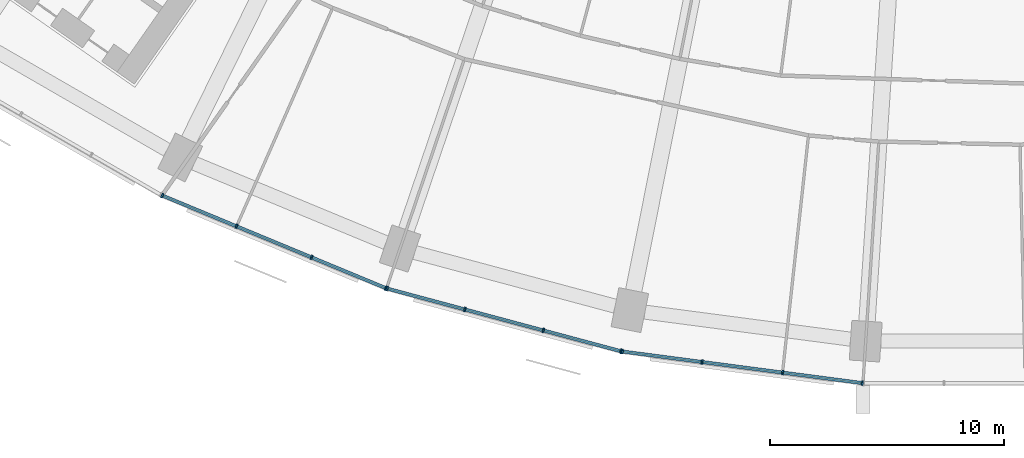
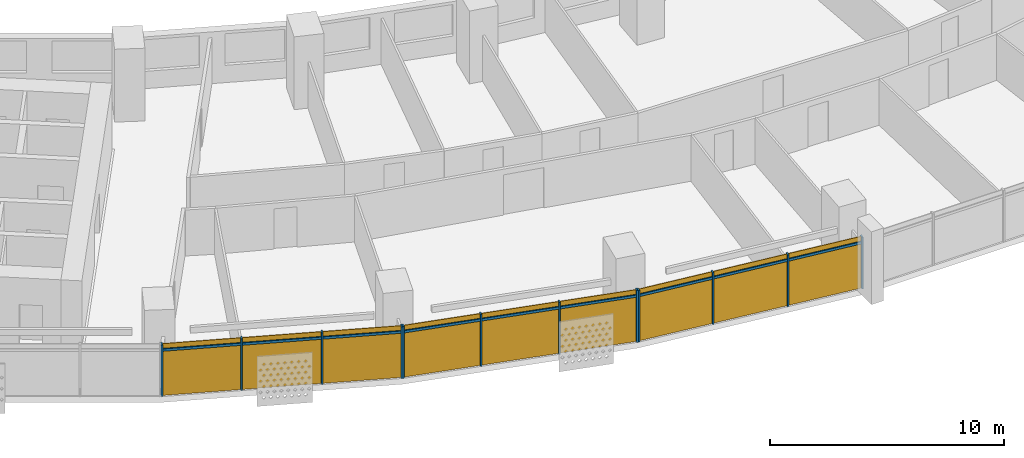
# One storey, part 21 of 30: 21 members, 3 curtain walls.
"""IFC4 building model written with IfcOpenShell, lengths in metres."""

from ifc_helpers import new_model, si_unit, direction, frame, origin, origin_2d, place, context, subcontext, project, spatial, rectangle, extrude, material, material_profile, profile_set, type_object, element, aggregate, save


model = new_model("IFC4")

# Units and contexts
model_context = context("Model", 3, precision=1e-05, world=origin(), true_north=direction((0.0, 1.0)))
body_context = subcontext(model_context, "Body", "Model", "MODEL_VIEW")
ifc_project = project(units=[si_unit("LENGTHUNIT", "METRE"), si_unit("AREAUNIT", "SQUARE_METRE"), si_unit("VOLUMEUNIT", "CUBIC_METRE"), si_unit("PLANEANGLEUNIT", "RADIAN"), si_unit("MASSUNIT", "GRAM", prefix="KILO")], contexts=[model_context])

# Member
ifc_material = material(Name="Aluminium 6063-T6 anodised", Category="aluminium")
ifc_material_profile_1 = material_profile(ifc_material, rectangle(XDim=0.199951171875, YDim=0.070068359375, at=origin_2d()))
ifc_profile_set_1 = profile_set([ifc_material_profile_1], Name="Aluminium 6063-T6 anodised")
member_type_1 = type_object("IfcMemberType", Name="Mullion 70 x 200 aluminium", PredefinedType="MULLION", material=ifc_profile_set_1)
site_placement = place(None, origin())
building_placement = place(site_placement, origin())
storey_placement = place(building_placement, frame((0.0, 0.0, 67.10009765625)))
member_1_placement = place(storey_placement, frame((-35.15771484375, -71.35693359375, 0.0), z_axis=(0.0, 0.0, 1.0), x_axis=(0.382683432365, 0.923879532511, 0.0)))
member_1 = element("IfcMember", 1, at=member_1_placement, type_object=member_type_1, Name="e-cw1-L13-out05/M00", PredefinedType="MULLION", context=body_context, shape_type="SweptSolid", body=[
    extrude(rectangle(XDim=0.199951171875, YDim=0.070068359375, at=origin_2d()), origin(), (0.0, 0.0, 1.0), 2.699951171875),
])

member_2_placement = place(storey_placement, frame((-31.9814453125, -72.672607421875, 0.0), z_axis=(0.0, 0.0, 1.0), x_axis=(0.382683432365, 0.923879532511, 0.0)))
member_2 = element("IfcMember", 2, at=member_2_placement, type_object=member_type_1, Name="e-cw1-L13-out05/M01", PredefinedType="MULLION", context=body_context, shape_type="SweptSolid", body=[
    extrude(rectangle(XDim=0.199951171875, YDim=0.070068359375, at=origin_2d()), origin(), (0.0, 0.0, 1.0), 2.699951171875),
])

member_3_placement = place(storey_placement, frame((-28.77294921875, -74.00146484375, 0.0), z_axis=(0.0, 0.0, 1.0), x_axis=(0.382683432365, 0.923879532511, 0.0)))
member_3 = element("IfcMember", 3, at=member_3_placement, type_object=member_type_1, Name="e-cw1-L13-out05/M02", PredefinedType="MULLION", context=body_context, shape_type="SweptSolid", body=[
    extrude(rectangle(XDim=0.199951171875, YDim=0.070068359375, at=origin_2d()), origin(), (0.0, 0.0, 1.0), 2.699951171875),
])

member_4_placement = place(storey_placement, frame((-25.5966796875, -75.317138671875, 0.0), z_axis=(0.0, 0.0, 1.0), x_axis=(0.382683432365, 0.923879532511, 0.0)))
member_4 = element("IfcMember", 4, at=member_4_placement, type_object=member_type_1, Name="e-cw1-L13-out05/M03", PredefinedType="MULLION", context=body_context, shape_type="SweptSolid", body=[
    extrude(rectangle(XDim=0.199951171875, YDim=0.070068359375, at=origin_2d()), origin(), (0.0, 0.0, 1.0), 2.699951171875),
])

member_5_placement = place(storey_placement, frame((-25.54296875, -75.33544921875, 0.0), z_axis=(0.0, 0.0, 1.0), x_axis=(0.258819045103, 0.965925826289, 0.0)))
member_5 = element("IfcMember", 5, at=member_5_placement, type_object=member_type_1, Name="e-cw1-L13-out06/M00", PredefinedType="MULLION", context=body_context, shape_type="SweptSolid", body=[
    extrude(rectangle(XDim=0.199951171875, YDim=0.070068359375, at=origin_2d()), origin(), (0.0, 0.0, 1.0), 2.699951171875),
])

member_6_placement = place(storey_placement, frame((-22.22216796875, -76.225341796875, 0.0), z_axis=(0.0, 0.0, 1.0), x_axis=(0.258819045103, 0.965925826289, 0.0)))
member_6 = element("IfcMember", 6, at=member_6_placement, type_object=member_type_1, Name="e-cw1-L13-out06/M01", PredefinedType="MULLION", context=body_context, shape_type="SweptSolid", body=[
    extrude(rectangle(XDim=0.199951171875, YDim=0.070068359375, at=origin_2d()), origin(), (0.0, 0.0, 1.0), 2.699951171875),
])

member_7_placement = place(storey_placement, frame((-18.86767578125, -77.1240234375, 0.0), z_axis=(0.0, 0.0, 1.0), x_axis=(0.258819045103, 0.965925826289, 0.0)))
member_7 = element("IfcMember", 7, at=member_7_placement, type_object=member_type_1, Name="e-cw1-L13-out06/M02", PredefinedType="MULLION", context=body_context, shape_type="SweptSolid", body=[
    extrude(rectangle(XDim=0.199951171875, YDim=0.070068359375, at=origin_2d()), origin(), (0.0, 0.0, 1.0), 2.699951171875),
])

member_8_placement = place(storey_placement, frame((-15.546875, -78.013916015625, 0.0), z_axis=(0.0, 0.0, 1.0), x_axis=(0.258819045103, 0.965925826289, 0.0)))
member_8 = element("IfcMember", 8, at=member_8_placement, type_object=member_type_1, Name="e-cw1-L13-out06/M03", PredefinedType="MULLION", context=body_context, shape_type="SweptSolid", body=[
    extrude(rectangle(XDim=0.199951171875, YDim=0.070068359375, at=origin_2d()), origin(), (0.0, 0.0, 1.0), 2.699951171875),
])

member_9_placement = place(storey_placement, frame((-15.4912109375, -78.02490234375, 0.0), z_axis=(0.0, 0.0, 1.0), x_axis=(0.13052619222, 0.991444861374, 0.0)))
member_9 = element("IfcMember", 9, at=member_9_placement, type_object=member_type_1, Name="e-cw1-L13-out07/M00", PredefinedType="MULLION", context=body_context, shape_type="SweptSolid", body=[
    extrude(rectangle(XDim=0.199951171875, YDim=0.070068359375, at=origin_2d()), origin(), (0.0, 0.0, 1.0), 2.699951171875),
])

member_10_placement = place(storey_placement, frame((-12.082763671875, -78.4736328125, 0.0), z_axis=(0.0, 0.0, 1.0), x_axis=(0.13052619222, 0.991444861374, 0.0)))
member_10 = element("IfcMember", 10, at=member_10_placement, type_object=member_type_1, Name="e-cw1-L13-out07/M01", PredefinedType="MULLION", context=body_context, shape_type="SweptSolid", body=[
    extrude(rectangle(XDim=0.199951171875, YDim=0.070068359375, at=origin_2d()), origin(), (0.0, 0.0, 1.0), 2.699951171875),
])

member_11_placement = place(storey_placement, frame((-8.639404296875, -78.927001953125, 0.0), z_axis=(0.0, 0.0, 1.0), x_axis=(0.13052619222, 0.991444861374, 0.0)))
member_11 = element("IfcMember", 11, at=member_11_placement, type_object=member_type_1, Name="e-cw1-L13-out07/M02", PredefinedType="MULLION", context=body_context, shape_type="SweptSolid", body=[
    extrude(rectangle(XDim=0.199951171875, YDim=0.070068359375, at=origin_2d()), origin(), (0.0, 0.0, 1.0), 2.699951171875),
])

member_12_placement = place(storey_placement, frame((-5.23095703125, -79.375732421875, 0.0), z_axis=(0.0, 0.0, 1.0), x_axis=(0.13052619222, 0.991444861374, 0.0)))
member_12 = element("IfcMember", 12, at=member_12_placement, type_object=member_type_1, Name="e-cw1-L13-out07/M03", PredefinedType="MULLION", context=body_context, shape_type="SweptSolid", body=[
    extrude(rectangle(XDim=0.199951171875, YDim=0.070068359375, at=origin_2d()), origin(), (0.0, 0.0, 1.0), 2.699951171875),
])

ifc_material_profile_2 = material_profile(ifc_material, rectangle(XDim=0.139892578125, YDim=0.1201171875, at=origin_2d()))
ifc_profile_set_2 = profile_set([ifc_material_profile_2], Name="Aluminium 6063-T6 anodised")
member_type_2 = type_object("IfcMemberType", Name="Transom 120 x 140 aluminium", PredefinedType="USERDEFINED", material=ifc_profile_set_2)
member_13_placement = place(storey_placement, frame((-35.125244140625, -71.370361328125, 2.39990234375), z_axis=(0.923872807855, -0.382699666719, 0.0), x_axis=(0.382699666719, 0.923872807855, 0.0)))
member_13 = element("IfcMember", 13, at=member_13_placement, type_object=member_type_2, Name="e-cw1-L13-out05/T00", ObjectType="TRANSOM", PredefinedType="USERDEFINED", context=body_context, shape_type="SweptSolid", body=[
    extrude(rectangle(XDim=0.139892578125, YDim=0.1201171875, at=origin_2d()), origin(), (0.0, 0.0, 1.0), 3.36767578125),
])

member_14_placement = place(storey_placement, frame((-31.94921875, -72.68603515625, 2.39990234375), z_axis=(0.92388567708, -0.382668597728, 0.0), x_axis=(0.382668597728, 0.92388567708, 0.0)))
member_14 = element("IfcMember", 14, at=member_14_placement, type_object=member_type_2, Name="e-cw1-L13-out05/T01", ObjectType="TRANSOM", PredefinedType="USERDEFINED", context=body_context, shape_type="SweptSolid", body=[
    extrude(rectangle(XDim=0.139892578125, YDim=0.1201171875, at=origin_2d()), origin(), (0.0, 0.0, 1.0), 3.403076171875),
])

member_15_placement = place(storey_placement, frame((-28.740478515625, -74.014892578125, 2.39990234375), z_axis=(0.923872807855, -0.382699666719, 0.0), x_axis=(0.382699666719, 0.923872807855, 0.0)))
member_15 = element("IfcMember", 15, at=member_15_placement, type_object=member_type_2, Name="e-cw1-L13-out05/T02", ObjectType="TRANSOM", PredefinedType="USERDEFINED", context=body_context, shape_type="SweptSolid", body=[
    extrude(rectangle(XDim=0.139892578125, YDim=0.1201171875, at=origin_2d()), origin(), (0.0, 0.0, 1.0), 3.36767578125),
])

member_16_placement = place(storey_placement, frame((-25.50927734375, -75.344482421875, 2.39990234375), z_axis=(0.965915368772, -0.258858069935, 0.0), x_axis=(0.258858069935, 0.965915368772, 0.0)))
member_16 = element("IfcMember", 16, at=member_16_placement, type_object=member_type_2, Name="e-cw1-L13-out06/T00", ObjectType="TRANSOM", PredefinedType="USERDEFINED", context=body_context, shape_type="SweptSolid", body=[
    extrude(rectangle(XDim=0.139892578125, YDim=0.1201171875, at=origin_2d()), origin(), (0.0, 0.0, 1.0), 3.367919921875),
])

member_17_placement = place(storey_placement, frame((-22.1884765625, -76.234375, 2.39990234375), z_axis=(0.965937804901, -0.258774336176, 0.0), x_axis=(0.258774336176, 0.965937804901, 0.0)))
member_17 = element("IfcMember", 17, at=member_17_placement, type_object=member_type_2, Name="e-cw1-L13-out06/T01", ObjectType="TRANSOM", PredefinedType="USERDEFINED", context=body_context, shape_type="SweptSolid", body=[
    extrude(rectangle(XDim=0.139892578125, YDim=0.1201171875, at=origin_2d()), origin(), (0.0, 0.0, 1.0), 3.403076171875),
])

member_18_placement = place(storey_placement, frame((-18.833740234375, -77.133056640625, 2.39990234375), z_axis=(0.965915368772, -0.258858069935, 0.0), x_axis=(0.258858069935, 0.965915368772, 0.0)))
member_18 = element("IfcMember", 18, at=member_18_placement, type_object=member_type_2, Name="e-cw1-L13-out06/T02", ObjectType="TRANSOM", PredefinedType="USERDEFINED", context=body_context, shape_type="SweptSolid", body=[
    extrude(rectangle(XDim=0.139892578125, YDim=0.1201171875, at=origin_2d()), origin(), (0.0, 0.0, 1.0), 3.367919921875),
])

member_19_placement = place(storey_placement, frame((-15.45654296875, -78.029541015625, 2.39990234375), z_axis=(0.9914412138, -0.130553895303, 0.0), x_axis=(0.130553895303, 0.9914412138, 0.0)))
member_19 = element("IfcMember", 19, at=member_19_placement, type_object=member_type_2, Name="e-cw1-L13-out07/T00", ObjectType="TRANSOM", PredefinedType="USERDEFINED", context=body_context, shape_type="SweptSolid", body=[
    extrude(rectangle(XDim=0.139892578125, YDim=0.1201171875, at=origin_2d()), origin(), (0.0, 0.0, 1.0), 3.367919921875),
])

member_20_placement = place(storey_placement, frame((-12.048095703125, -78.478271484375, 2.39990234375), z_axis=(0.991447700941, -0.130504621753, 0.0), x_axis=(0.130504621753, 0.991447700941, 0.0)))
member_20 = element("IfcMember", 20, at=member_20_placement, type_object=member_type_2, Name="e-cw1-L13-out07/T01", ObjectType="TRANSOM", PredefinedType="USERDEFINED", context=body_context, shape_type="SweptSolid", body=[
    extrude(rectangle(XDim=0.139892578125, YDim=0.1201171875, at=origin_2d()), origin(), (0.0, 0.0, 1.0), 3.40283203125),
])

member_21_placement = place(storey_placement, frame((-8.604736328125, -78.931640625, 2.39990234375), z_axis=(0.991450594138, -0.130482640159, 0.0), x_axis=(0.130482640159, 0.991450594138, 0.0)))
member_21 = element("IfcMember", 21, at=member_21_placement, type_object=member_type_2, Name="e-cw1-L13-out07/T02", ObjectType="TRANSOM", PredefinedType="USERDEFINED", context=body_context, shape_type="SweptSolid", body=[
    extrude(rectangle(XDim=0.139892578125, YDim=0.1201171875, at=origin_2d()), origin(), (0.0, 0.0, 1.0), 3.367919921875),
])

# Site, building, storey
site = spatial("IfcSite", under=ifc_project, at=site_placement, CompositionType="ELEMENT")
building = spatial("IfcBuilding", under=site, at=building_placement, Name="Qamariyya Broadcast Tower", CompositionType="ELEMENT")
storey = spatial("IfcBuildingStorey", under=building, at=storey_placement, Name="L13", CompositionType="ELEMENT", Elevation=67.10009765625)

# Curtain wall
curtain_wall_type = type_object("IfcCurtainWallType", Name="Unitised curtain wall, anodised aluminium", PredefinedType="NOTDEFINED", material=ifc_material)
curtain_wall_1_placement = place(storey_placement, origin())
curtain_wall_1 = element("IfcCurtainWall", 22, at=curtain_wall_1_placement, inside=storey, type_object=curtain_wall_type, Name="e-cw1-L13-out05", PredefinedType="NOTDEFINED", context=body_context, shape_type="SweptSolid", body=[
    extrude(rectangle(XDim=3.367919921875, YDim=0.031982421875, at=origin_2d()), frame((-33.569580078125, -72.0146484375, 0.0), x_axis=(0.92387774222, -0.382687754482, 0.0)), (0.0, 0.0, 1.0), 2.340087890625),
    extrude(rectangle(XDim=3.367919921875, YDim=0.031982421875, at=origin_2d()), frame((-33.569580078125, -72.0146484375, 2.4599609375), x_axis=(0.92387774222, -0.382687754482, 0.0)), (0.0, 0.0, 1.0), 0.239990234375),
    extrude(rectangle(XDim=3.40283203125, YDim=0.031982421875, at=origin_2d()), frame((-30.377197265625, -73.3369140625, 0.0), x_axis=(0.92387774222, -0.382687754482, 0.0)), (0.0, 0.0, 1.0), 2.340087890625),
    extrude(rectangle(XDim=3.40283203125, YDim=0.031982421875, at=origin_2d()), frame((-30.377197265625, -73.3369140625, 2.4599609375), x_axis=(0.92387774222, -0.382687754482, 0.0)), (0.0, 0.0, 1.0), 0.239990234375),
    extrude(rectangle(XDim=3.367919921875, YDim=0.031982421875, at=origin_2d()), frame((-27.184814453125, -74.659423828125, 0.0), x_axis=(0.92387774222, -0.382687754482, 0.0)), (0.0, 0.0, 1.0), 2.340087890625),
    extrude(rectangle(XDim=3.367919921875, YDim=0.031982421875, at=origin_2d()), frame((-27.184814453125, -74.659423828125, 2.4599609375), x_axis=(0.92387774222, -0.382687754482, 0.0)), (0.0, 0.0, 1.0), 0.239990234375),
])

aggregate(curtain_wall_1, [member_1, member_2, member_3, member_4, member_13, member_14, member_15])

curtain_wall_2_placement = place(storey_placement, origin())
curtain_wall_2 = element("IfcCurtainWall", 23, at=curtain_wall_2_placement, inside=storey, type_object=curtain_wall_type, Name="e-cw1-L13-out06", PredefinedType="NOTDEFINED", context=body_context, shape_type="SweptSolid", body=[
    extrude(rectangle(XDim=3.367919921875, YDim=0.031982421875, at=origin_2d()), frame((-23.882568359375, -75.7802734375, 0.0), x_axis=(0.965925039578, -0.258821981129, 0.0)), (0.0, 0.0, 1.0), 2.340087890625),
    extrude(rectangle(XDim=3.367919921875, YDim=0.031982421875, at=origin_2d()), frame((-23.882568359375, -75.7802734375, 2.4599609375), x_axis=(0.965925039578, -0.258821981129, 0.0)), (0.0, 0.0, 1.0), 0.239990234375),
    extrude(rectangle(XDim=3.40283203125, YDim=0.031982421875, at=origin_2d()), frame((-20.544921875, -76.6748046875, 0.0), x_axis=(0.965925039578, -0.258821981129, 0.0)), (0.0, 0.0, 1.0), 2.340087890625),
    extrude(rectangle(XDim=3.40283203125, YDim=0.031982421875, at=origin_2d()), frame((-20.544921875, -76.6748046875, 2.4599609375), x_axis=(0.965925039578, -0.258821981129, 0.0)), (0.0, 0.0, 1.0), 0.239990234375),
    extrude(rectangle(XDim=3.367919921875, YDim=0.031982421875, at=origin_2d()), frame((-17.207275390625, -77.569091796875, 0.0), x_axis=(0.965925039578, -0.258821981129, 0.0)), (0.0, 0.0, 1.0), 2.340087890625),
    extrude(rectangle(XDim=3.367919921875, YDim=0.031982421875, at=origin_2d()), frame((-17.207275390625, -77.569091796875, 2.4599609375), x_axis=(0.965925039578, -0.258821981129, 0.0)), (0.0, 0.0, 1.0), 0.239990234375),
])

aggregate(curtain_wall_2, [member_5, member_6, member_7, member_8, member_16, member_17, member_18])

curtain_wall_3_placement = place(storey_placement, origin())
curtain_wall_3 = element("IfcCurtainWall", 24, at=curtain_wall_3_placement, inside=storey, type_object=curtain_wall_type, Name="e-cw1-L13-out07", PredefinedType="NOTDEFINED", context=body_context, shape_type="SweptSolid", body=[
    extrude(rectangle(XDim=3.367919921875, YDim=0.031982421875, at=origin_2d()), frame((-13.786865234375, -78.24951171875, 0.0), x_axis=(0.991445519925, -0.130521189931, 0.0)), (0.0, 0.0, 1.0), 2.340087890625),
    extrude(rectangle(XDim=3.367919921875, YDim=0.031982421875, at=origin_2d()), frame((-13.786865234375, -78.24951171875, 2.4599609375), x_axis=(0.991445519925, -0.130521189931, 0.0)), (0.0, 0.0, 1.0), 0.239990234375),
    extrude(rectangle(XDim=3.40283203125, YDim=0.031982421875, at=origin_2d()), frame((-10.361083984375, -78.700439453125, 0.0), x_axis=(0.991445519925, -0.130521189931, 0.0)), (0.0, 0.0, 1.0), 2.340087890625),
    extrude(rectangle(XDim=3.40283203125, YDim=0.031982421875, at=origin_2d()), frame((-10.361083984375, -78.700439453125, 2.4599609375), x_axis=(0.991445519925, -0.130521189931, 0.0)), (0.0, 0.0, 1.0), 0.239990234375),
    extrude(rectangle(XDim=3.367919921875, YDim=0.031982421875, at=origin_2d()), frame((-6.935302734375, -79.1513671875, 0.0), x_axis=(0.991445519925, -0.130521189931, 0.0)), (0.0, 0.0, 1.0), 2.340087890625),
    extrude(rectangle(XDim=3.367919921875, YDim=0.031982421875, at=origin_2d()), frame((-6.935302734375, -79.1513671875, 2.4599609375), x_axis=(0.991445519925, -0.130521189931, 0.0)), (0.0, 0.0, 1.0), 0.239990234375),
])

aggregate(curtain_wall_3, [member_9, member_10, member_11, member_12, member_19, member_20, member_21])

save(model, "model.ifc")
